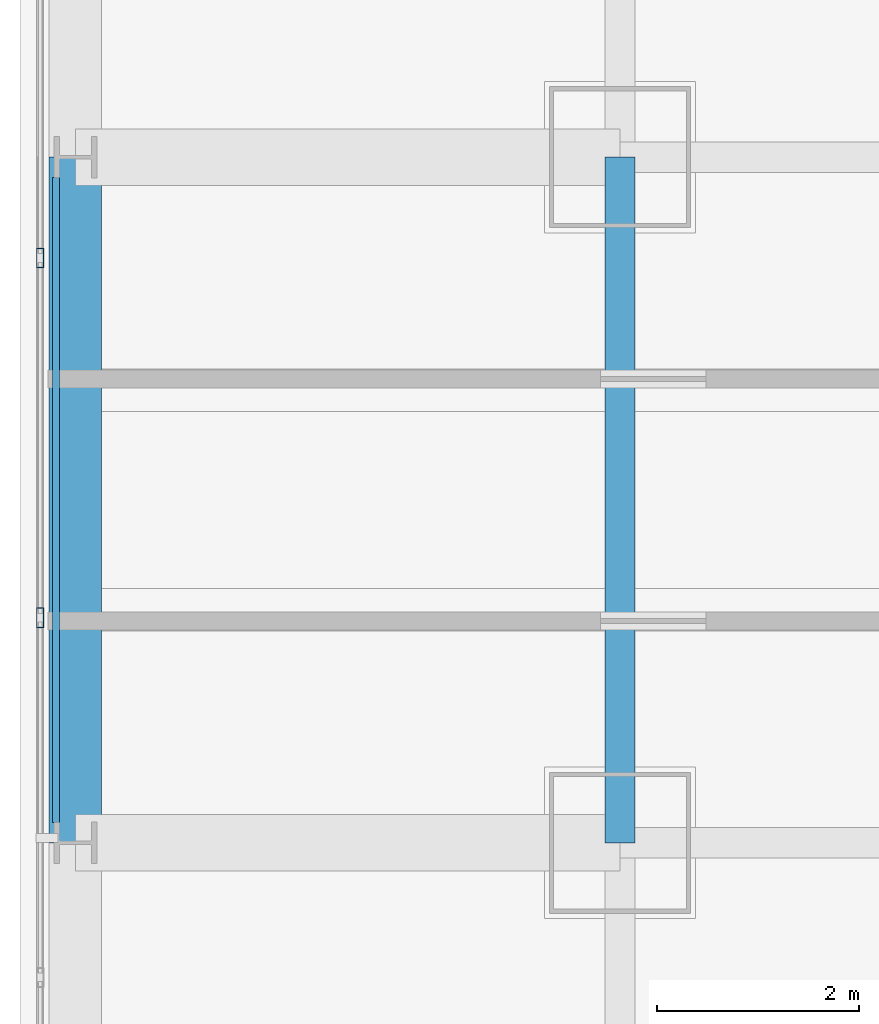
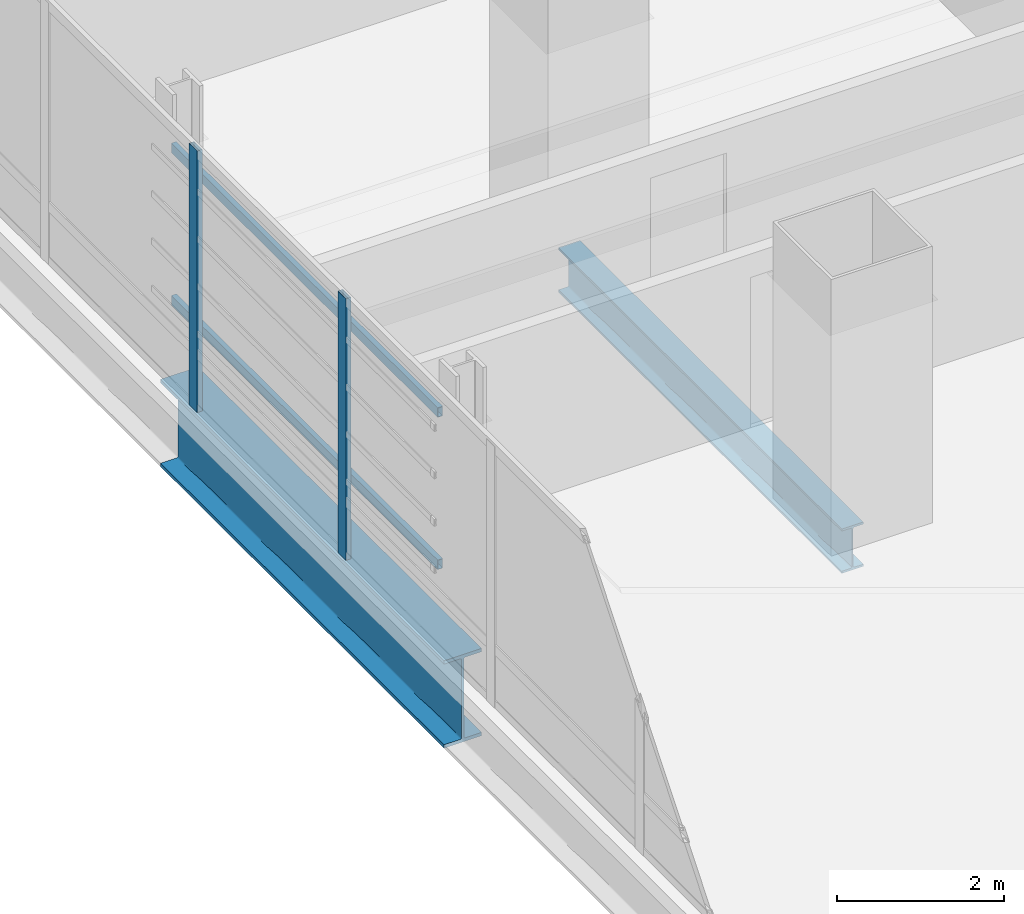
# One storey, part 10 of 38: 4 members, 2 beams, 1 element without a shape of its own.
"""IFC4 building model written with IfcOpenShell, lengths in metres."""

from ifc_helpers import new_model, si_unit, direction, frame, origin, origin_2d, place, context, subcontext, project, spatial, hollow_rectangle, i_section, extrude, material, material_profile, profile_set, type_object, element, aggregate, save


model = new_model("IFC4")

# Units and contexts
model_context = context("Model", 3, precision=1e-05, world=origin(), true_north=direction((0.0, 1.0)))
body_context = subcontext(model_context, "Body", "Model", "MODEL_VIEW")
ifc_project = project(units=[si_unit("LENGTHUNIT", "METRE"), si_unit("AREAUNIT", "SQUARE_METRE"), si_unit("VOLUMEUNIT", "CUBIC_METRE"), si_unit("PLANEANGLEUNIT", "RADIAN"), si_unit("MASSUNIT", "GRAM", prefix="KILO")], contexts=[model_context])

# Site, building, storey
site_placement = place(None, origin())
site = spatial("IfcSite", under=ifc_project, at=site_placement, CompositionType="ELEMENT")
building_placement = place(site_placement, origin())
building = spatial("IfcBuilding", under=site, at=building_placement, Name="Punatoya Terracotta Tower", CompositionType="ELEMENT")
storey_placement = place(building_placement, frame((0.0, 0.0, 151.949951171875)))
storey = spatial("IfcBuildingStorey", under=building, at=storey_placement, Name="L35", CompositionType="ELEMENT", Elevation=151.949951171875)

# Beams
ifc_material_1 = material(Name="Steel S355", Category="steel")
ifc_material_profile_1 = material_profile(ifc_material_1, i_section(OverallWidth=0.300048828125, OverallDepth=0.64990234375, WebThickness=0.01611328125, FlangeThickness=0.031005859375, FilletRadius=0.01806640625, at=origin_2d()))
ifc_profile_set_1 = profile_set([ifc_material_profile_1], Name="Steel S355")
beam_type_1 = type_object("IfcBeamType", Name="BM-PRI-650", PredefinedType="BEAM", material=ifc_profile_set_1)
beam_1_placement = place(storey_placement, frame((-19.10009765625, -3.39990234375, -0.544921875), z_axis=(0.0, 1.0, 0.0), x_axis=(-1.0, 0.0, 0.0)))
element("IfcBeam", 1, at=beam_1_placement, inside=storey, type_object=beam_type_1, Name="BM-L35-RG-W2", PredefinedType="BEAM", context=body_context, shape_type="SweptSolid", body=[
    extrude(i_section(OverallWidth=0.300048828125, OverallDepth=0.64990234375, WebThickness=0.01611328125, FlangeThickness=0.031005859375, FilletRadius=0.01806640625, at=origin_2d()), origin(), (0.0, 0.0, 1.0), 6.7998046875),
])
ifc_material_2 = material(Name="Steel S460", Category="steel")
ifc_material_profile_2 = material_profile(ifc_material_2, i_section(OverallWidth=0.52001953125, OverallDepth=1.280029296875, WebThickness=0.031982421875, FlangeThickness=0.050048828125, FilletRadius=0.01806640625, at=origin_2d()))
ifc_profile_set_2 = profile_set([ifc_material_profile_2], Name="Steel S460")
beam_type_2 = type_object("IfcBeamType", Name="BM-TG-NCK", PredefinedType="BEAM", material=ifc_profile_set_2)
beam_2_placement = place(storey_placement, frame((-24.5, -3.39990234375, -0.85986328125), z_axis=(0.0, 1.0, 0.0), x_axis=(-1.0, 0.0, 0.0)))
element("IfcBeam", 2, at=beam_2_placement, inside=storey, type_object=beam_type_2, Name="BM-L35-PER-W2", PredefinedType="BEAM", context=body_context, shape_type="SweptSolid", body=[
    extrude(i_section(OverallWidth=0.52001953125, OverallDepth=1.280029296875, WebThickness=0.031982421875, FlangeThickness=0.050048828125, FilletRadius=0.01806640625, at=origin_2d()), origin(), (0.0, 0.0, 1.0), 6.7998046875),
])

# Curtain wall, members
ifc_material_3 = material(Name="Aluminium 6063-T6 + Double Low-E Glass", Category="aluminium")
curtain_wall_type = type_object("IfcCurtainWallType", Name="CW-M2", PredefinedType="NOTDEFINED", material=ifc_material_3)
curtain_wall_placement = place(storey_placement, origin())
curtain_wall = element("IfcCurtainWall", 3, at=curtain_wall_placement, inside=storey, type_object=curtain_wall_type, Name="L35 Curtain Wall CW-L35-W13-1", PredefinedType="NOTDEFINED")
ifc_material_4 = material(Name="Aluminium 6063-T6", Category="aluminium")
ifc_material_profile_3 = material_profile(ifc_material_4, hollow_rectangle(XDim=0.072021484375, YDim=0.195068359375, WallThickness=0.00439453125, at=origin_2d()))
ifc_profile_set_3 = profile_set([ifc_material_profile_3], Name="Aluminium 6063-T6")
member_type_1 = type_object("IfcMemberType", Name="CW-MUL-M2", PredefinedType="MULLION", material=ifc_profile_set_3)
member_1_placement = place(storey_placement, frame((-24.85009765625, 2.39990234375, 0.0), z_axis=(0.0, 0.0, 1.0), x_axis=(1.0, 0.0, 0.0)))
member_1 = element("IfcMember", 4, at=member_1_placement, type_object=member_type_1, Name="CW-L35-W13-1 Mullion 05", PredefinedType="MULLION", context=body_context, shape_type="SweptSolid", body=[
    extrude(hollow_rectangle(XDim=0.072021484375, YDim=0.195068359375, WallThickness=0.00439453125, at=origin_2d()), origin(), (0.0, 0.0, 1.0), 3.830078125),
])
member_2_placement = place(storey_placement, frame((-24.85009765625, -1.16748046875, 0.0), z_axis=(0.0, 0.0, 1.0), x_axis=(1.0, 0.0, 0.0)))
member_2 = element("IfcMember", 5, at=member_2_placement, type_object=member_type_1, Name="CW-L35-W13-1 Mullion 06", PredefinedType="MULLION", context=body_context, shape_type="SweptSolid", body=[
    extrude(hollow_rectangle(XDim=0.072021484375, YDim=0.195068359375, WallThickness=0.00439453125, at=origin_2d()), origin(), (0.0, 0.0, 1.0), 3.830078125),
])
aggregate(curtain_wall, [member_1, member_2])

# Members
ifc_material_profile_4 = material_profile(ifc_material_1, hollow_rectangle(XDim=0.070068359375, YDim=0.139892578125, WallThickness=0.006103515625, at=origin_2d()))
ifc_profile_set_4 = profile_set([ifc_material_profile_4], Name="Steel S355")
member_type_2 = type_object("IfcMemberType", Name="MEM-BAG-RAIL", PredefinedType="USERDEFINED", material=ifc_profile_set_4)
for number, where, z_axis, x_axis, name in (
    (6, (-24.694580078125, -3.196044921875, 1.050048828125), (0.0, 1.0, 0.0), (-1.0, 0.0, 0.0), "L35 Terracotta Baguette Carrier Rail BAG-L35-W-R1"),
    (7, (-24.694580078125, -3.196044921875, 3.280029296875), (0.0, 1.0, 0.0), (-1.0, 0.0, 0.0), "L35 Terracotta Baguette Carrier Rail BAG-L35-W-R2"),
):
    element("IfcMember", number, at=place(storey_placement, frame(where, z_axis=z_axis, x_axis=x_axis)), inside=storey, type_object=member_type_2, Name=name, ObjectType="BAGUETTE", PredefinedType="USERDEFINED", context=body_context, shape_type="SweptSolid", body=[
        extrude(hollow_rectangle(XDim=0.070068359375, YDim=0.139892578125, WallThickness=0.006103515625, at=origin_2d()), origin(), (0.0, 0.0, 1.0), 6.39208984375),
    ])

save(model, "model.ifc")
